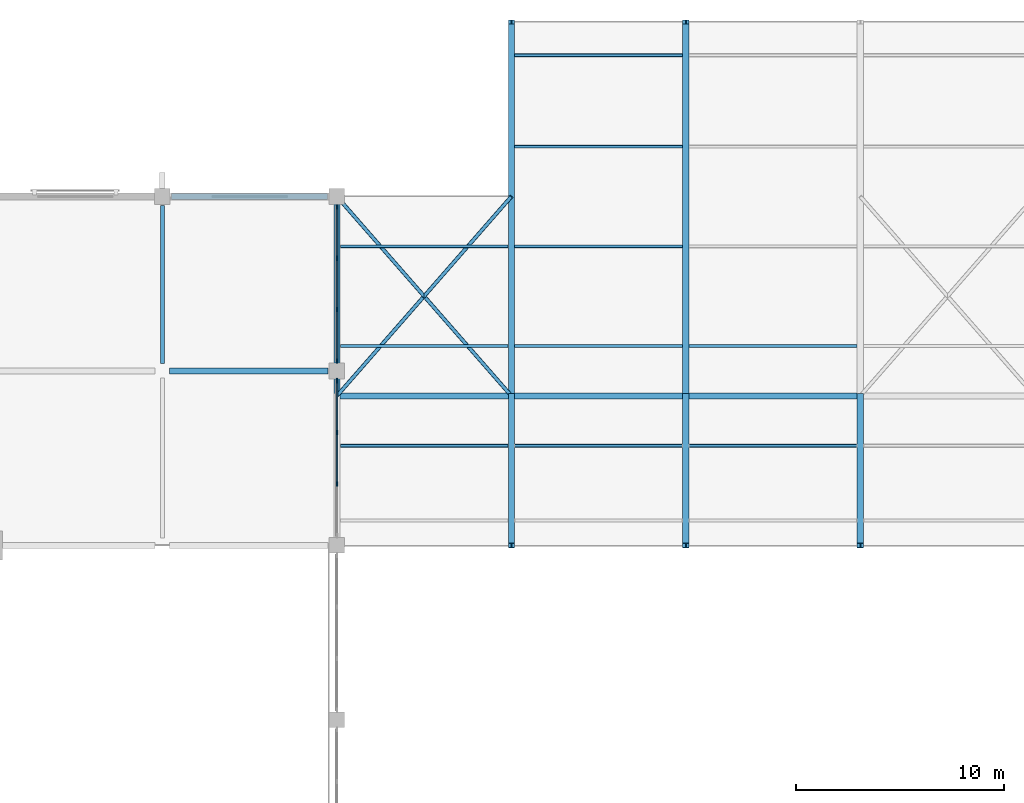
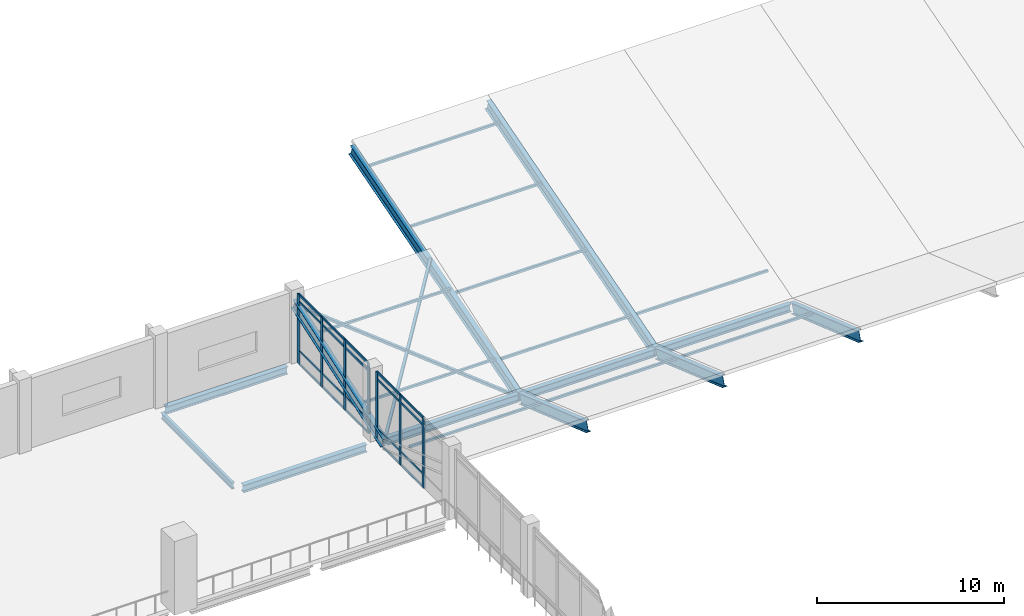
# One storey, part 16 of 110: 39 members, 12 beams, 2 elements without a shape of their own.
"""IFC4 building model written with IfcOpenShell, lengths in metres."""

from ifc_helpers import new_model, si_unit, direction, frame, origin, origin_2d, place, context, subcontext, project, spatial, rectangle, hollow_rectangle, i_section, extrude, material, layer, layer_set, material_profile, profile_set, type_object, element, aggregate, save


model = new_model("IFC4")

# Units and contexts
model_context = context("Model", 3, precision=1e-05, world=origin(), true_north=direction((0.0, 1.0)))
body_context = subcontext(model_context, "Body", "Model", "MODEL_VIEW")
ifc_project = project(units=[si_unit("LENGTHUNIT", "METRE"), si_unit("AREAUNIT", "SQUARE_METRE"), si_unit("VOLUMEUNIT", "CUBIC_METRE"), si_unit("PLANEANGLEUNIT", "RADIAN"), si_unit("MASSUNIT", "GRAM", prefix="KILO")], contexts=[model_context])

# Site, building, storey
site_placement = place(None, origin())
site = spatial("IfcSite", under=ifc_project, at=site_placement, CompositionType="ELEMENT")
building_placement = place(site_placement, origin())
building = spatial("IfcBuilding", under=site, at=building_placement, Name="Qawsi Khor Wholesale Market", CompositionType="ELEMENT")
storey_placement = place(building_placement, frame((0.0, 0.0, 11.39990234375)))
storey = spatial("IfcBuildingStorey", under=building, at=storey_placement, Name="L02", CompositionType="ELEMENT", Elevation=11.39990234375)

# Members
ifc_material_1 = material(Name="Steel S355", Category="steel")
ifc_material_profile_1 = material_profile(ifc_material_1, hollow_rectangle(XDim=0.179931640625, YDim=0.179931640625, WallThickness=0.010009765625, InnerFilletRadius=0.010009765625, OuterFilletRadius=0.02001953125, at=origin_2d()), Name="SHS 180x180x10.0")
ifc_profile_set_1 = profile_set([ifc_material_profile_1], Name="Steel S355")
member_type_1 = type_object("IfcMemberType", Name="Auction Roof Brace SHS 180x180x10.0", PredefinedType="BRACE", material=ifc_profile_set_1)
for number, where, z_axis, x_axis, name in (
    (1, (75.60009765625, 99.60009765625, 0.35009765625), (0.638715391749, 0.729957795703, 0.243319265234), (-0.752575509087, 0.658505962861, 0.0), "Auction roof brace 1A"),
    (2, (84.0, 99.60009765625, 0.35009765625), (-0.638715391749, 0.729957795703, 0.243319265234), (-0.752575509087, -0.658505962861, 0.0), "Auction roof brace 1B"),
):
    element("IfcMember", number, at=place(storey_placement, frame(where, z_axis=z_axis, x_axis=x_axis)), inside=storey, type_object=member_type_1, Name=name, PredefinedType="BRACE", context=body_context, shape_type="SweptSolid", body=[
        extrude(hollow_rectangle(XDim=0.179931640625, YDim=0.179931640625, WallThickness=0.010009765625, InnerFilletRadius=0.010009765625, OuterFilletRadius=0.02001953125, at=origin_2d()), origin(), (0.0, 0.0, 1.0), 13.151123046875),
    ])
ifc_material_profile_2 = material_profile(ifc_material_1, hollow_rectangle(XDim=0.14990234375, YDim=0.14990234375, WallThickness=0.008056640625, InnerFilletRadius=0.008056640625, OuterFilletRadius=0.01611328125, at=origin_2d()), Name="SHS 150x150x8.0")
ifc_profile_set_2 = profile_set([ifc_material_profile_2], Name="Steel S355")
member_type_2 = type_object("IfcMemberType", Name="Auction Shed Purlin SHS 150x150x8.0", PredefinedType="PURLIN", material=ifc_profile_set_2)
for number, where, z_axis, x_axis, name in (
    (3, (75.761962890625, 97.199951171875, 1.4833984375), (1.0, 0.0, 0.0), (0.0, 1.0, 0.0), "Auction Roof Purlin 10-2"),
    (4, (75.761962890625, 102.0, 1.47509765625), (1.0, 0.0, 0.0), (0.0, 1.0, 0.0), "Auction Roof Purlin 10-3"),
    (5, (75.761962890625, 106.800048828125, 3.125), (1.0, 0.0, 0.0), (0.0, 1.0, 0.0), "Auction Roof Purlin 10-4"),
    (6, (84.162109375, 97.199951171875, 1.4833984375), (1.0, 0.0, 0.0), (0.0, 1.0, 0.0), "Auction Roof Purlin 11-2"),
):
    element("IfcMember", number, at=place(storey_placement, frame(where, z_axis=z_axis, x_axis=x_axis)), inside=storey, type_object=member_type_2, Name=name, PredefinedType="PURLIN", context=body_context, shape_type="SweptSolid", body=[
        extrude(hollow_rectangle(XDim=0.14990234375, YDim=0.14990234375, WallThickness=0.008056640625, InnerFilletRadius=0.008056640625, OuterFilletRadius=0.01611328125, at=origin_2d()), origin(), (0.0, 0.0, 1.0), 8.075927734375),
    ])
for number, where, z_axis, x_axis, name in (
    (7, (84.14990234375, 102.0, 1.356689453125), (1.0, 0.0, 0.0), (0.0, 1.0, 0.0), "Auction Roof Purlin 11-3"),
    (8, (84.14990234375, 106.800048828125, 2.77001953125), (1.0, 0.0, 0.0), (0.0, 1.0, 0.0), "Auction Roof Purlin 11-4"),
    (9, (84.14990234375, 111.60009765625, 4.183349609375), (1.0, 0.0, 0.0), (0.0, 1.0, 0.0), "Auction Roof Purlin 11-5"),
    (10, (84.14990234375, 116.0, 5.47900390625), (1.0, 0.0, 0.0), (0.0, 1.0, 0.0), "Auction Roof Purlin 11-6"),
):
    element("IfcMember", number, at=place(storey_placement, frame(where, z_axis=z_axis, x_axis=x_axis)), inside=storey, type_object=member_type_2, Name=name, PredefinedType="PURLIN", context=body_context, shape_type="SweptSolid", body=[
        extrude(hollow_rectangle(XDim=0.14990234375, YDim=0.14990234375, WallThickness=0.008056640625, InnerFilletRadius=0.008056640625, OuterFilletRadius=0.01611328125, at=origin_2d()), origin(), (0.0, 0.0, 1.0), 8.10009765625),
    ])
member_1_placement = place(storey_placement, frame((92.56201171875, 97.199951171875, 1.4833984375), z_axis=(1.0, 0.0, 0.0), x_axis=(0.0, 1.0, 0.0)))
element("IfcMember", 11, at=member_1_placement, inside=storey, type_object=member_type_2, Name="Auction Roof Purlin 12-2", PredefinedType="PURLIN", context=body_context, shape_type="SweptSolid", body=[
    extrude(hollow_rectangle(XDim=0.14990234375, YDim=0.14990234375, WallThickness=0.008056640625, InnerFilletRadius=0.008056640625, OuterFilletRadius=0.01611328125, at=origin_2d()), origin(), (0.0, 0.0, 1.0), 8.075927734375),
])
member_2_placement = place(storey_placement, frame((92.550048828125, 102.0, 1.356689453125), z_axis=(1.0, 0.0, 0.0), x_axis=(0.0, 1.0, 0.0)))
element("IfcMember", 12, at=member_2_placement, inside=storey, type_object=member_type_2, Name="Auction Roof Purlin 12-3", PredefinedType="PURLIN", context=body_context, shape_type="SweptSolid", body=[
    extrude(hollow_rectangle(XDim=0.14990234375, YDim=0.14990234375, WallThickness=0.008056640625, InnerFilletRadius=0.008056640625, OuterFilletRadius=0.01611328125, at=origin_2d()), origin(), (0.0, 0.0, 1.0), 8.099853515625),
])

# Curtain wall, members
ifc_material_2 = material(Name="Aluminium Anodised Bronze", Category="aluminium")
ifc_layer = layer(ifc_material_2, 0.199951171875, Name="Aluminium Anodised Bronze")
ifc_layer_set = layer_set([ifc_layer], Name="Aluminium Anodised Bronze")
curtain_wall_type = type_object("IfcCurtainWallType", Name="Trading Hall North-Light Curtain Wall CW-03", PredefinedType="NOTDEFINED", material=ifc_layer_set)
curtain_wall_1_placement = place(storey_placement, origin())
curtain_wall_1 = element("IfcCurtainWall", 13, at=curtain_wall_1_placement, inside=storey, type_object=curtain_wall_type, Name="Curtain wall CW-CW-03-L02-157", PredefinedType="NOTDEFINED")
ifc_material_profile_3 = material_profile(ifc_material_2, rectangle(XDim=0.074951171875, YDim=0.219970703125, at=origin_2d()), Name="ALU MULLION 75x220")
ifc_profile_set_3 = profile_set([ifc_material_profile_3], Name="Aluminium Anodised Bronze")
member_type_3 = type_object("IfcMemberType", Name="Curtain Wall Mullion CW-03 ALU MULLION 75x220", PredefinedType="MULLION", material=ifc_profile_set_3)
member_3_placement = place(storey_placement, frame((75.60009765625, 95.357421875, -0.02001953125), z_axis=(0.0, 0.0, 1.0), x_axis=(1.0, 0.0, 0.0)))
member_3 = element("IfcMember", 14, at=member_3_placement, type_object=member_type_3, Name="Mullion CW-CW-03-L02-157-M01", PredefinedType="MULLION", context=body_context, shape_type="SweptSolid", body=[
    extrude(rectangle(XDim=0.074951171875, YDim=0.219970703125, at=origin_2d()), origin(), (0.0, 0.0, 1.0), 4.5400390625),
])
member_4_placement = place(storey_placement, frame((75.60009765625, 97.842529296875, -0.02001953125), z_axis=(0.0, 0.0, 1.0), x_axis=(1.0, 0.0, 0.0)))
member_4 = element("IfcMember", 15, at=member_4_placement, type_object=member_type_3, Name="Mullion CW-CW-03-L02-157-M02", PredefinedType="MULLION", context=body_context, shape_type="SweptSolid", body=[
    extrude(rectangle(XDim=0.074951171875, YDim=0.219970703125, at=origin_2d()), origin(), (0.0, 0.0, 1.0), 4.5400390625),
])
member_5_placement = place(storey_placement, frame((75.60009765625, 100.327392578125, -0.02001953125), z_axis=(0.0, 0.0, 1.0), x_axis=(1.0, 0.0, 0.0)))
member_5 = element("IfcMember", 16, at=member_5_placement, type_object=member_type_3, Name="Mullion CW-CW-03-L02-157-M03", PredefinedType="MULLION", context=body_context, shape_type="SweptSolid", body=[
    extrude(rectangle(XDim=0.074951171875, YDim=0.219970703125, at=origin_2d()), origin(), (0.0, 0.0, 1.0), 4.5400390625),
])

curtain_wall_2_placement = place(storey_placement, origin())
curtain_wall_2 = element("IfcCurtainWall", 17, at=curtain_wall_2_placement, inside=storey, type_object=curtain_wall_type, Name="Curtain wall CW-CW-03-L02-158", PredefinedType="NOTDEFINED")
member_6_placement = place(storey_placement, frame((75.60009765625, 101.2724609375, -0.02001953125), z_axis=(0.0, 0.0, 1.0), x_axis=(1.0, 0.0, 0.0)))
member_6 = element("IfcMember", 18, at=member_6_placement, type_object=member_type_3, Name="Mullion CW-CW-03-L02-158-M00", PredefinedType="MULLION", context=body_context, shape_type="SweptSolid", body=[
    extrude(rectangle(XDim=0.074951171875, YDim=0.219970703125, at=origin_2d()), origin(), (0.0, 0.0, 1.0), 4.5400390625),
])
member_7_placement = place(storey_placement, frame((75.60009765625, 103.749267578125, -0.02001953125), z_axis=(0.0, 0.0, 1.0), x_axis=(1.0, 0.0, 0.0)))
member_7 = element("IfcMember", 19, at=member_7_placement, type_object=member_type_3, Name="Mullion CW-CW-03-L02-158-M01", PredefinedType="MULLION", context=body_context, shape_type="SweptSolid", body=[
    extrude(rectangle(XDim=0.074951171875, YDim=0.219970703125, at=origin_2d()), origin(), (0.0, 0.0, 1.0), 4.5400390625),
])
member_8_placement = place(storey_placement, frame((75.60009765625, 106.225830078125, -0.02001953125), z_axis=(0.0, 0.0, 1.0), x_axis=(1.0, 0.0, 0.0)))
member_8 = element("IfcMember", 20, at=member_8_placement, type_object=member_type_3, Name="Mullion CW-CW-03-L02-158-M02", PredefinedType="MULLION", context=body_context, shape_type="SweptSolid", body=[
    extrude(rectangle(XDim=0.074951171875, YDim=0.219970703125, at=origin_2d()), origin(), (0.0, 0.0, 1.0), 4.5400390625),
])
member_9_placement = place(storey_placement, frame((75.60009765625, 108.702392578125, -0.02001953125), z_axis=(0.0, 0.0, 1.0), x_axis=(1.0, 0.0, 0.0)))
member_9 = element("IfcMember", 21, at=member_9_placement, type_object=member_type_3, Name="Mullion CW-CW-03-L02-158-M03", PredefinedType="MULLION", context=body_context, shape_type="SweptSolid", body=[
    extrude(rectangle(XDim=0.074951171875, YDim=0.219970703125, at=origin_2d()), origin(), (0.0, 0.0, 1.0), 4.5400390625),
])

# Member
ifc_material_profile_4 = material_profile(ifc_material_2, rectangle(XDim=0.070068359375, YDim=0.14990234375, at=origin_2d()), Name="ALU TRANSOM 70x150")
ifc_profile_set_4 = profile_set([ifc_material_profile_4], Name="Aluminium Anodised Bronze")
member_type_4 = type_object("IfcMemberType", Name="Curtain Wall Transom CW-03 ALU TRANSOM 70x150", PredefinedType="USERDEFINED", material=ifc_profile_set_4)
member_10_placement = place(storey_placement, frame((75.60009765625, 95.357421875, 0.0), z_axis=(0.0, 1.0, 0.0), x_axis=(-1.0, 0.0, 0.0)))
member_10 = element("IfcMember", 22, at=member_10_placement, type_object=member_type_4, Name="Transom CW-CW-03-L02-157-T0_01", ObjectType="TRANSOM", PredefinedType="USERDEFINED", context=body_context, shape_type="SweptSolid", body=[
    extrude(rectangle(XDim=0.070068359375, YDim=0.14990234375, at=origin_2d()), origin(), (0.0, 0.0, 1.0), 2.485107421875),
])

member_11_placement = place(storey_placement, frame((75.60009765625, 97.842529296875, 0.0), z_axis=(0.0, 1.0, 0.0), x_axis=(-1.0, 0.0, 0.0)))
member_11 = element("IfcMember", 23, at=member_11_placement, type_object=member_type_4, Name="Transom CW-CW-03-L02-157-T0_02", ObjectType="TRANSOM", PredefinedType="USERDEFINED", context=body_context, shape_type="SweptSolid", body=[
    extrude(rectangle(XDim=0.070068359375, YDim=0.14990234375, at=origin_2d()), origin(), (0.0, 0.0, 1.0), 2.48486328125),
])

member_12_placement = place(storey_placement, frame((75.60009765625, 95.357421875, 0.85009765625), z_axis=(0.0, 1.0, 0.0), x_axis=(-1.0, 0.0, 0.0)))
member_12 = element("IfcMember", 24, at=member_12_placement, type_object=member_type_4, Name="Transom CW-CW-03-L02-157-T1_01", ObjectType="TRANSOM", PredefinedType="USERDEFINED", context=body_context, shape_type="SweptSolid", body=[
    extrude(rectangle(XDim=0.070068359375, YDim=0.14990234375, at=origin_2d()), origin(), (0.0, 0.0, 1.0), 2.485107421875),
])

member_13_placement = place(storey_placement, frame((75.60009765625, 97.842529296875, 0.85009765625), z_axis=(0.0, 1.0, 0.0), x_axis=(-1.0, 0.0, 0.0)))
member_13 = element("IfcMember", 25, at=member_13_placement, type_object=member_type_4, Name="Transom CW-CW-03-L02-157-T1_02", ObjectType="TRANSOM", PredefinedType="USERDEFINED", context=body_context, shape_type="SweptSolid", body=[
    extrude(rectangle(XDim=0.070068359375, YDim=0.14990234375, at=origin_2d()), origin(), (0.0, 0.0, 1.0), 2.48486328125),
])

member_14_placement = place(storey_placement, frame((75.60009765625, 95.357421875, 4.070068359375), z_axis=(0.0, 1.0, 0.0), x_axis=(-1.0, 0.0, 0.0)))
member_14 = element("IfcMember", 26, at=member_14_placement, type_object=member_type_4, Name="Transom CW-CW-03-L02-157-T2_01", ObjectType="TRANSOM", PredefinedType="USERDEFINED", context=body_context, shape_type="SweptSolid", body=[
    extrude(rectangle(XDim=0.070068359375, YDim=0.14990234375, at=origin_2d()), origin(), (0.0, 0.0, 1.0), 2.485107421875),
])

member_15_placement = place(storey_placement, frame((75.60009765625, 97.842529296875, 4.070068359375), z_axis=(0.0, 1.0, 0.0), x_axis=(-1.0, 0.0, 0.0)))
member_15 = element("IfcMember", 27, at=member_15_placement, type_object=member_type_4, Name="Transom CW-CW-03-L02-157-T2_02", ObjectType="TRANSOM", PredefinedType="USERDEFINED", context=body_context, shape_type="SweptSolid", body=[
    extrude(rectangle(XDim=0.070068359375, YDim=0.14990234375, at=origin_2d()), origin(), (0.0, 0.0, 1.0), 2.48486328125),
])

member_16_placement = place(storey_placement, frame((75.60009765625, 95.357421875, 4.52001953125), z_axis=(0.0, 1.0, 0.0), x_axis=(-1.0, 0.0, 0.0)))
member_16 = element("IfcMember", 28, at=member_16_placement, type_object=member_type_4, Name="Transom CW-CW-03-L02-157-T3_01", ObjectType="TRANSOM", PredefinedType="USERDEFINED", context=body_context, shape_type="SweptSolid", body=[
    extrude(rectangle(XDim=0.070068359375, YDim=0.14990234375, at=origin_2d()), origin(), (0.0, 0.0, 1.0), 2.485107421875),
])

member_17_placement = place(storey_placement, frame((75.60009765625, 97.842529296875, 4.52001953125), z_axis=(0.0, 1.0, 0.0), x_axis=(-1.0, 0.0, 0.0)))
member_17 = element("IfcMember", 29, at=member_17_placement, type_object=member_type_4, Name="Transom CW-CW-03-L02-157-T3_02", ObjectType="TRANSOM", PredefinedType="USERDEFINED", context=body_context, shape_type="SweptSolid", body=[
    extrude(rectangle(XDim=0.070068359375, YDim=0.14990234375, at=origin_2d()), origin(), (0.0, 0.0, 1.0), 2.48486328125),
])

aggregate(curtain_wall_1, [member_3, member_4, member_5, member_10, member_11, member_12, member_13, member_14, member_15, member_16, member_17])

member_18_placement = place(storey_placement, frame((75.60009765625, 101.2724609375, 0.0), z_axis=(0.0, 1.0, 0.0), x_axis=(-1.0, 0.0, 0.0)))
member_18 = element("IfcMember", 30, at=member_18_placement, type_object=member_type_4, Name="Transom CW-CW-03-L02-158-T0_00", ObjectType="TRANSOM", PredefinedType="USERDEFINED", context=body_context, shape_type="SweptSolid", body=[
    extrude(rectangle(XDim=0.070068359375, YDim=0.14990234375, at=origin_2d()), origin(), (0.0, 0.0, 1.0), 2.476806640625),
])

member_19_placement = place(storey_placement, frame((75.60009765625, 103.749267578125, 0.0), z_axis=(0.0, 1.0, 0.0), x_axis=(-1.0, 0.0, 0.0)))
member_19 = element("IfcMember", 31, at=member_19_placement, type_object=member_type_4, Name="Transom CW-CW-03-L02-158-T0_01", ObjectType="TRANSOM", PredefinedType="USERDEFINED", context=body_context, shape_type="SweptSolid", body=[
    extrude(rectangle(XDim=0.070068359375, YDim=0.14990234375, at=origin_2d()), origin(), (0.0, 0.0, 1.0), 2.4765625),
])

member_20_placement = place(storey_placement, frame((75.60009765625, 106.225830078125, 0.0), z_axis=(0.0, 1.0, 0.0), x_axis=(-1.0, 0.0, 0.0)))
member_20 = element("IfcMember", 32, at=member_20_placement, type_object=member_type_4, Name="Transom CW-CW-03-L02-158-T0_02", ObjectType="TRANSOM", PredefinedType="USERDEFINED", context=body_context, shape_type="SweptSolid", body=[
    extrude(rectangle(XDim=0.070068359375, YDim=0.14990234375, at=origin_2d()), origin(), (0.0, 0.0, 1.0), 2.4765625),
])

member_21_placement = place(storey_placement, frame((75.60009765625, 101.2724609375, 0.85009765625), z_axis=(0.0, 1.0, 0.0), x_axis=(-1.0, 0.0, 0.0)))
member_21 = element("IfcMember", 33, at=member_21_placement, type_object=member_type_4, Name="Transom CW-CW-03-L02-158-T1_00", ObjectType="TRANSOM", PredefinedType="USERDEFINED", context=body_context, shape_type="SweptSolid", body=[
    extrude(rectangle(XDim=0.070068359375, YDim=0.14990234375, at=origin_2d()), origin(), (0.0, 0.0, 1.0), 2.476806640625),
])

member_22_placement = place(storey_placement, frame((75.60009765625, 103.749267578125, 0.85009765625), z_axis=(0.0, 1.0, 0.0), x_axis=(-1.0, 0.0, 0.0)))
member_22 = element("IfcMember", 34, at=member_22_placement, type_object=member_type_4, Name="Transom CW-CW-03-L02-158-T1_01", ObjectType="TRANSOM", PredefinedType="USERDEFINED", context=body_context, shape_type="SweptSolid", body=[
    extrude(rectangle(XDim=0.070068359375, YDim=0.14990234375, at=origin_2d()), origin(), (0.0, 0.0, 1.0), 2.4765625),
])

member_23_placement = place(storey_placement, frame((75.60009765625, 106.225830078125, 0.85009765625), z_axis=(0.0, 1.0, 0.0), x_axis=(-1.0, 0.0, 0.0)))
member_23 = element("IfcMember", 35, at=member_23_placement, type_object=member_type_4, Name="Transom CW-CW-03-L02-158-T1_02", ObjectType="TRANSOM", PredefinedType="USERDEFINED", context=body_context, shape_type="SweptSolid", body=[
    extrude(rectangle(XDim=0.070068359375, YDim=0.14990234375, at=origin_2d()), origin(), (0.0, 0.0, 1.0), 2.4765625),
])

member_24_placement = place(storey_placement, frame((75.60009765625, 101.2724609375, 4.070068359375), z_axis=(0.0, 1.0, 0.0), x_axis=(-1.0, 0.0, 0.0)))
member_24 = element("IfcMember", 36, at=member_24_placement, type_object=member_type_4, Name="Transom CW-CW-03-L02-158-T2_00", ObjectType="TRANSOM", PredefinedType="USERDEFINED", context=body_context, shape_type="SweptSolid", body=[
    extrude(rectangle(XDim=0.070068359375, YDim=0.14990234375, at=origin_2d()), origin(), (0.0, 0.0, 1.0), 2.476806640625),
])

member_25_placement = place(storey_placement, frame((75.60009765625, 103.749267578125, 4.070068359375), z_axis=(0.0, 1.0, 0.0), x_axis=(-1.0, 0.0, 0.0)))
member_25 = element("IfcMember", 37, at=member_25_placement, type_object=member_type_4, Name="Transom CW-CW-03-L02-158-T2_01", ObjectType="TRANSOM", PredefinedType="USERDEFINED", context=body_context, shape_type="SweptSolid", body=[
    extrude(rectangle(XDim=0.070068359375, YDim=0.14990234375, at=origin_2d()), origin(), (0.0, 0.0, 1.0), 2.4765625),
])

member_26_placement = place(storey_placement, frame((75.60009765625, 106.225830078125, 4.070068359375), z_axis=(0.0, 1.0, 0.0), x_axis=(-1.0, 0.0, 0.0)))
member_26 = element("IfcMember", 38, at=member_26_placement, type_object=member_type_4, Name="Transom CW-CW-03-L02-158-T2_02", ObjectType="TRANSOM", PredefinedType="USERDEFINED", context=body_context, shape_type="SweptSolid", body=[
    extrude(rectangle(XDim=0.070068359375, YDim=0.14990234375, at=origin_2d()), origin(), (0.0, 0.0, 1.0), 2.4765625),
])

member_27_placement = place(storey_placement, frame((75.60009765625, 101.2724609375, 4.52001953125), z_axis=(0.0, 1.0, 0.0), x_axis=(-1.0, 0.0, 0.0)))
member_27 = element("IfcMember", 39, at=member_27_placement, type_object=member_type_4, Name="Transom CW-CW-03-L02-158-T3_00", ObjectType="TRANSOM", PredefinedType="USERDEFINED", context=body_context, shape_type="SweptSolid", body=[
    extrude(rectangle(XDim=0.070068359375, YDim=0.14990234375, at=origin_2d()), origin(), (0.0, 0.0, 1.0), 2.476806640625),
])

member_28_placement = place(storey_placement, frame((75.60009765625, 103.749267578125, 4.52001953125), z_axis=(0.0, 1.0, 0.0), x_axis=(-1.0, 0.0, 0.0)))
member_28 = element("IfcMember", 40, at=member_28_placement, type_object=member_type_4, Name="Transom CW-CW-03-L02-158-T3_01", ObjectType="TRANSOM", PredefinedType="USERDEFINED", context=body_context, shape_type="SweptSolid", body=[
    extrude(rectangle(XDim=0.070068359375, YDim=0.14990234375, at=origin_2d()), origin(), (0.0, 0.0, 1.0), 2.4765625),
])

member_29_placement = place(storey_placement, frame((75.60009765625, 106.225830078125, 4.52001953125), z_axis=(0.0, 1.0, 0.0), x_axis=(-1.0, 0.0, 0.0)))
member_29 = element("IfcMember", 41, at=member_29_placement, type_object=member_type_4, Name="Transom CW-CW-03-L02-158-T3_02", ObjectType="TRANSOM", PredefinedType="USERDEFINED", context=body_context, shape_type="SweptSolid", body=[
    extrude(rectangle(XDim=0.070068359375, YDim=0.14990234375, at=origin_2d()), origin(), (0.0, 0.0, 1.0), 2.4765625),
])

aggregate(curtain_wall_2, [member_6, member_7, member_8, member_9, member_18, member_19, member_20, member_21, member_22, member_23, member_24, member_25, member_26, member_27, member_28, member_29])

# Beams
ifc_material_profile_5 = material_profile(ifc_material_1, i_section(OverallWidth=0.300048828125, OverallDepth=0.5, WebThickness=0.014404296875, FlangeThickness=0.028076171875, FilletRadius=0.027099609375, at=origin_2d()), Name="HEB 500")
ifc_profile_set_5 = profile_set([ifc_material_profile_5], Name="Steel S355")
beam_type_1 = type_object("IfcBeamType", Name="Heavy Edge Girder HEB 500", PredefinedType="BEAM", material=ifc_profile_set_5)
for number, where, z_axis, x_axis, name in (
    (42, (75.75, 99.60009765625, 0.4501953125), (1.0, 0.0, 0.0), (0.0, 1.0, 0.0), "Auction Butterfly Valley Girder 10"),
    (43, (84.14990234375, 99.60009765625, 0.4501953125), (1.0, 0.0, 0.0), (0.0, 1.0, 0.0), "Auction Butterfly Valley Girder 11"),
):
    element("IfcBeam", number, at=place(storey_placement, frame(where, z_axis=z_axis, x_axis=x_axis)), inside=storey, type_object=beam_type_1, Name=name, PredefinedType="BEAM", context=body_context, shape_type="SweptSolid", body=[
        extrude(i_section(OverallWidth=0.300048828125, OverallDepth=0.5, WebThickness=0.014404296875, FlangeThickness=0.028076171875, FilletRadius=0.027099609375, at=origin_2d()), origin(), (0.0, 0.0, 1.0), 8.10009765625),
    ])
beam_1_placement = place(storey_placement, frame((92.550048828125, 99.60009765625, 0.4501953125), z_axis=(1.0, 0.0, 0.0), x_axis=(0.0, 1.0, 0.0)))
element("IfcBeam", 44, at=beam_1_placement, inside=storey, type_object=beam_type_1, Name="Auction Butterfly Valley Girder 12", PredefinedType="BEAM", context=body_context, shape_type="SweptSolid", body=[
    extrude(i_section(OverallWidth=0.300048828125, OverallDepth=0.5, WebThickness=0.014404296875, FlangeThickness=0.028076171875, FilletRadius=0.027099609375, at=origin_2d()), origin(), (0.0, 0.0, 1.0), 8.099853515625),
])
ifc_material_profile_6 = material_profile(ifc_material_1, i_section(OverallWidth=0.300048828125, OverallDepth=0.489990234375, WebThickness=0.011962890625, FlangeThickness=0.02294921875, FilletRadius=0.027099609375, at=origin_2d()), Name="HEA 500")
ifc_profile_set_6 = profile_set([ifc_material_profile_6], Name="Steel S355")
beam_type_2 = type_object("IfcBeamType", Name="Primary Girder HEA 500", PredefinedType="BEAM", material=ifc_profile_set_6)
beam_2_placement = place(storey_placement, frame((67.550048828125, 100.800048828125, -0.514892578125), z_axis=(1.0, 0.0, 0.0), x_axis=(0.0, 1.0, 0.0)))
element("IfcBeam", 45, at=beam_2_placement, inside=storey, type_object=beam_type_2, Name="BM-X-L02-08_+12", PredefinedType="BEAM", context=body_context, shape_type="SweptSolid", body=[
    extrude(i_section(OverallWidth=0.300048828125, OverallDepth=0.489990234375, WebThickness=0.011962890625, FlangeThickness=0.02294921875, FilletRadius=0.027099609375, at=origin_2d()), origin(), (0.0, 0.0, 1.0), 7.625),
])
beam_3_placement = place(storey_placement, frame((67.625, 109.199951171875, -0.514892578125), z_axis=(1.0, 0.0, 0.0), x_axis=(0.0, 1.0, 0.0)))
element("IfcBeam", 46, at=beam_3_placement, inside=storey, type_object=beam_type_2, Name="BM-X-L02-08_+13", PredefinedType="BEAM", context=body_context, shape_type="SweptSolid", body=[
    extrude(i_section(OverallWidth=0.300048828125, OverallDepth=0.489990234375, WebThickness=0.011962890625, FlangeThickness=0.02294921875, FilletRadius=0.027099609375, at=origin_2d()), origin(), (0.0, 0.0, 1.0), 7.52490234375),
])
ifc_material_profile_7 = material_profile(ifc_material_1, i_section(OverallWidth=0.300048828125, OverallDepth=0.68994140625, WebThickness=0.014404296875, FlangeThickness=0.027099609375, FilletRadius=0.027099609375, at=origin_2d()), Name="HEA 700")
ifc_profile_set_7 = profile_set([ifc_material_profile_7], Name="Steel S355")
beam_type_3 = type_object("IfcBeamType", Name="Primary Girder HEA 700", PredefinedType="BEAM", material=ifc_profile_set_7)
beam_4_placement = place(storey_placement, frame((75.60009765625, 99.60009765625, 0.35009765625), z_axis=(0.0, 0.945683595597, 0.325088506439), x_axis=(-1.0, 0.0, 0.0)))
element("IfcBeam", 47, at=beam_4_placement, inside=storey, type_object=beam_type_3, Name="Auction Butterfly Rafter North Grid 10", PredefinedType="BEAM", context=body_context, shape_type="SweptSolid", body=[
    extrude(i_section(OverallWidth=0.300048828125, OverallDepth=0.68994140625, WebThickness=0.014404296875, FlangeThickness=0.027099609375, FilletRadius=0.027099609375, at=origin_2d()), origin(), (0.0, 0.0, 1.0), 10.151123046875),
])
beam_5_placement = place(storey_placement, frame((84.0, 92.39990234375, 2.85009765625), z_axis=(0.0, 0.944676421269, -0.328003748603), x_axis=(-1.0, 0.0, 0.0)))
element("IfcBeam", 48, at=beam_5_placement, inside=storey, type_object=beam_type_3, Name="Auction Butterfly Rafter South Grid 11", PredefinedType="BEAM", context=body_context, shape_type="SweptSolid", body=[
    extrude(i_section(OverallWidth=0.300048828125, OverallDepth=0.68994140625, WebThickness=0.014404296875, FlangeThickness=0.027099609375, FilletRadius=0.027099609375, at=origin_2d()), origin(), (0.0, 0.0, 1.0), 7.621826171875),
])
beam_6_placement = place(storey_placement, frame((84.0, 99.60009765625, 0.35009765625), z_axis=(0.0, 0.959279891053, 0.282457236801), x_axis=(-1.0, 0.0, 0.0)))
element("IfcBeam", 49, at=beam_6_placement, inside=storey, type_object=beam_type_3, Name="Auction Butterfly Rafter North Grid 11", PredefinedType="BEAM", context=body_context, shape_type="SweptSolid", body=[
    extrude(i_section(OverallWidth=0.300048828125, OverallDepth=0.68994140625, WebThickness=0.014404296875, FlangeThickness=0.027099609375, FilletRadius=0.027099609375, at=origin_2d()), origin(), (0.0, 0.0, 1.0), 18.76416015625),
])
beam_7_placement = place(storey_placement, frame((92.39990234375, 92.39990234375, 2.85009765625), z_axis=(0.0, 0.944676421269, -0.328003748603), x_axis=(-1.0, 0.0, 0.0)))
element("IfcBeam", 50, at=beam_7_placement, inside=storey, type_object=beam_type_3, Name="Auction Butterfly Rafter South Grid 12", PredefinedType="BEAM", context=body_context, shape_type="SweptSolid", body=[
    extrude(i_section(OverallWidth=0.300048828125, OverallDepth=0.68994140625, WebThickness=0.014404296875, FlangeThickness=0.027099609375, FilletRadius=0.027099609375, at=origin_2d()), origin(), (0.0, 0.0, 1.0), 7.621826171875),
])
beam_8_placement = place(storey_placement, frame((92.39990234375, 99.60009765625, 0.35009765625), z_axis=(0.0, 0.959279891053, 0.282457236801), x_axis=(-1.0, 0.0, 0.0)))
element("IfcBeam", 51, at=beam_8_placement, inside=storey, type_object=beam_type_3, Name="Auction Butterfly Rafter North Grid 12", PredefinedType="BEAM", context=body_context, shape_type="SweptSolid", body=[
    extrude(i_section(OverallWidth=0.300048828125, OverallDepth=0.68994140625, WebThickness=0.014404296875, FlangeThickness=0.027099609375, FilletRadius=0.027099609375, at=origin_2d()), origin(), (0.0, 0.0, 1.0), 18.76416015625),
])
beam_9_placement = place(storey_placement, frame((100.800048828125, 92.39990234375, 2.85009765625), z_axis=(0.0, 0.944676421269, -0.328003748603), x_axis=(-1.0, 0.0, 0.0)))
element("IfcBeam", 52, at=beam_9_placement, inside=storey, type_object=beam_type_3, Name="Auction Butterfly Rafter South Grid 13", PredefinedType="BEAM", context=body_context, shape_type="SweptSolid", body=[
    extrude(i_section(OverallWidth=0.300048828125, OverallDepth=0.68994140625, WebThickness=0.014404296875, FlangeThickness=0.027099609375, FilletRadius=0.027099609375, at=origin_2d()), origin(), (0.0, 0.0, 1.0), 7.621826171875),
])
ifc_material_profile_8 = material_profile(ifc_material_1, i_section(OverallWidth=0.179931640625, OverallDepth=0.39990234375, WebThickness=0.008544921875, FlangeThickness=0.013427734375, FilletRadius=0.02099609375, at=origin_2d()), Name="IPE 400")
ifc_profile_set_8 = profile_set([ifc_material_profile_8], Name="Steel S355")
beam_type_4 = type_object("IfcBeamType", Name="Secondary Beam IPE 400", PredefinedType="BEAM", material=ifc_profile_set_8)
beam_10_placement = place(storey_placement, frame((67.199951171875, 101.14990234375, -0.469970703125), z_axis=(0.0, 1.0, 0.0), x_axis=(-1.0, 0.0, 0.0)))
element("IfcBeam", 53, at=beam_10_placement, inside=storey, type_object=beam_type_4, Name="BM-Y-L02-08_+12", PredefinedType="BEAM", context=body_context, shape_type="SweptSolid", body=[
    extrude(i_section(OverallWidth=0.179931640625, OverallDepth=0.39990234375, WebThickness=0.008544921875, FlangeThickness=0.013427734375, FilletRadius=0.02099609375, at=origin_2d()), origin(), (0.0, 0.0, 1.0), 7.625),
])

save(model, "model.ifc")
